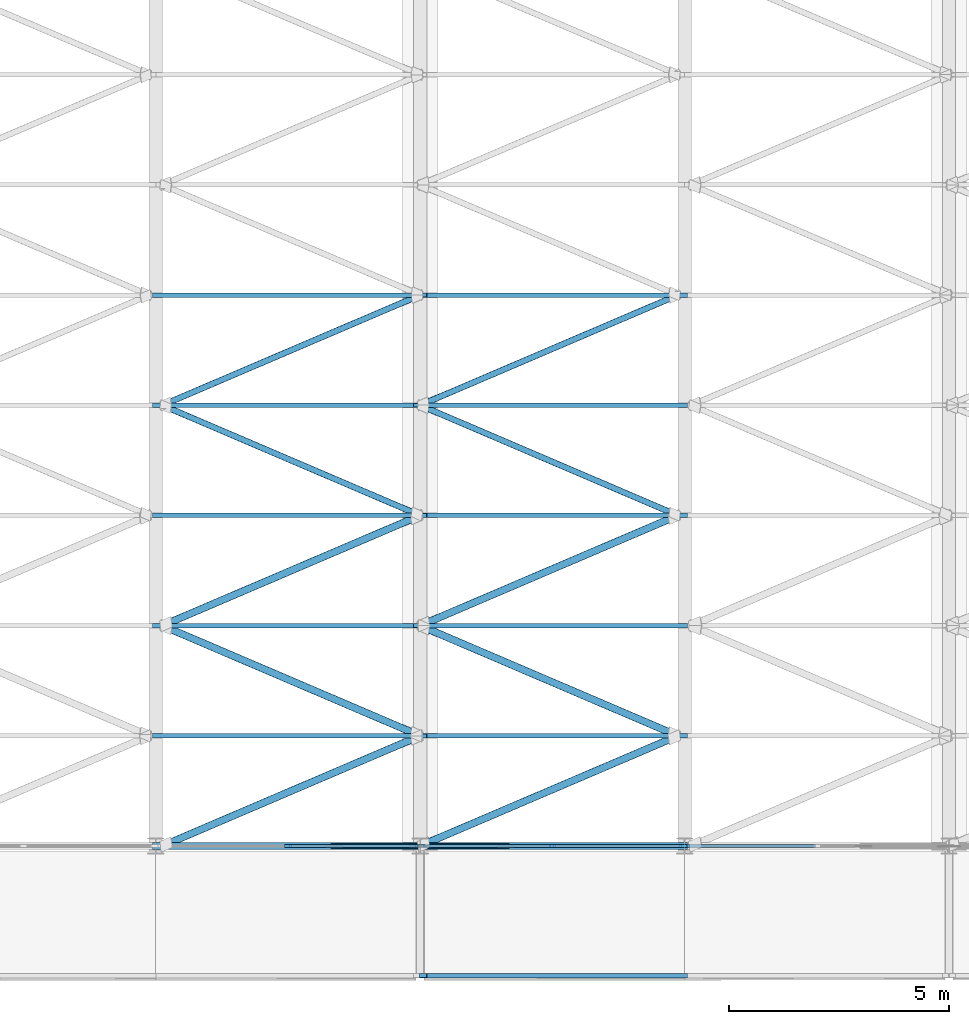
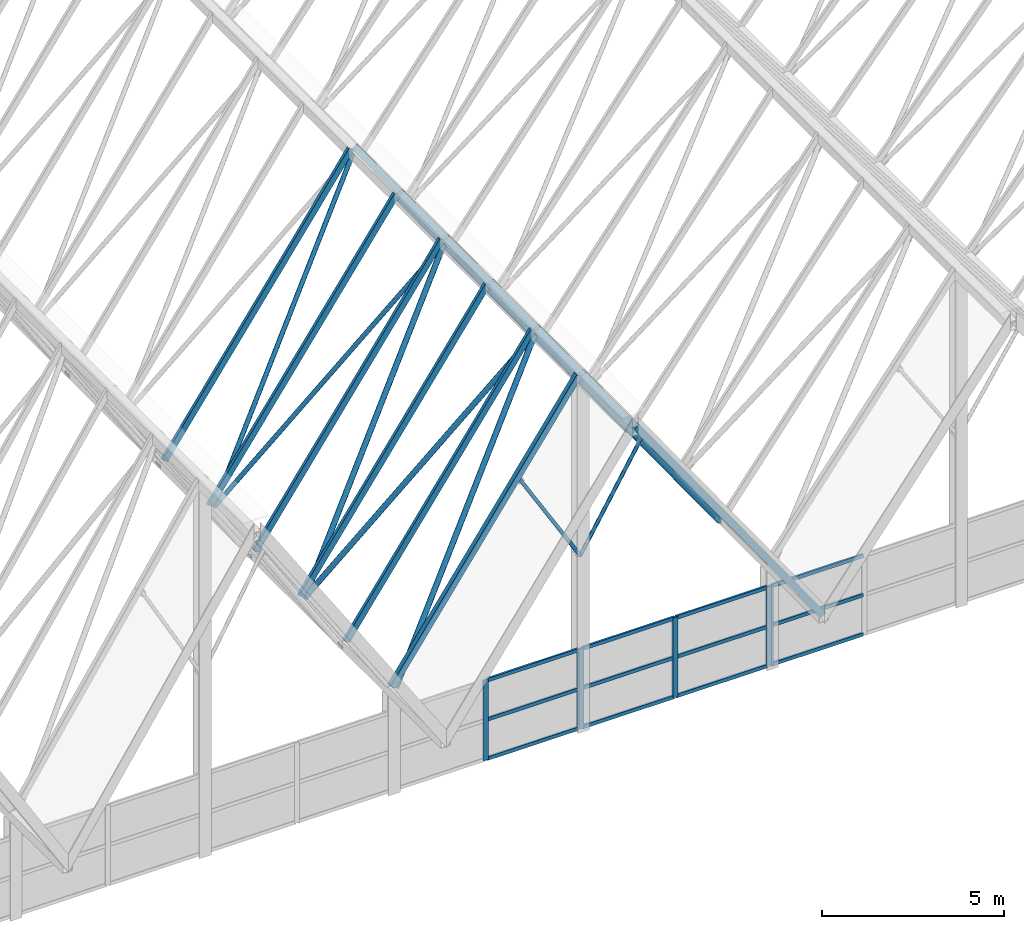
# One storey, part 17 of 483: 40 members, 3 beams, 3 elements without a shape of their own.
"""IFC4 building model written with IfcOpenShell, lengths in metres."""

from ifc_helpers import new_model, si_unit, direction, frame, origin, origin_2d, place, context, subcontext, project, spatial, rectangle, hollow_rectangle, hollow_circle, extrude, material, material_profile, profile_set, type_object, element, aggregate, save


model = new_model("IFC4")

# Units and contexts
model_context = context("Model", 3, precision=1e-05, world=origin(), true_north=direction((0.0, 1.0)))
body_context = subcontext(model_context, "Body", "Model", "MODEL_VIEW")
ifc_project = project(units=[si_unit("LENGTHUNIT", "METRE"), si_unit("AREAUNIT", "SQUARE_METRE"), si_unit("VOLUMEUNIT", "CUBIC_METRE"), si_unit("PLANEANGLEUNIT", "RADIAN"), si_unit("MASSUNIT", "GRAM", prefix="KILO")], contexts=[model_context])

# Site, building, storey
site_placement = place(None, origin())
site = spatial("IfcSite", under=ifc_project, at=site_placement, CompositionType="ELEMENT")
building_placement = place(site_placement, origin())
building = spatial("IfcBuilding", under=site, at=building_placement, Name="Parallax Yard Mobility Hub", CompositionType="ELEMENT")
storey_placement = place(building_placement, frame((0.0, 0.0, 13.199951171875)))
storey = spatial("IfcBuildingStorey", under=building, at=storey_placement, Name="L04", CompositionType="ELEMENT", Elevation=13.199951171875)

# Members
ifc_material_1 = material(Name="Steel ASTM A500 Gr C", Category="steel")
ifc_material_profile_1 = material_profile(ifc_material_1, hollow_circle(Radius=0.05712890625, WallThickness=0.006103515625, at=origin_2d()), Name="HSS114.3x6.0")
ifc_profile_set_1 = profile_set([ifc_material_profile_1], Name="Steel ASTM A500 Gr C")
member_type_1 = type_object("IfcMemberType", Name="Knee brace HSS114.3x6.0", PredefinedType="BRACE", material=ifc_profile_set_1)
for number, where, z_axis, x_axis, name in (
    (1, (63.0, 7.5, 5.800048828125), (-0.511362041341, 0.0, 0.859365383685), (0.0, -1.0, 0.0), "Gable knee brace F10 south west"),
    (2, (63.0, 7.5, 5.800048828125), (0.511362041341, 0.0, 0.859365383685), (0.0, 1.0, 0.0), "Gable knee brace F10 south east"),
):
    element("IfcMember", number, at=place(storey_placement, frame(where, z_axis=z_axis, x_axis=x_axis)), inside=storey, type_object=member_type_1, Name=name, PredefinedType="BRACE", context=body_context, shape_type="SweptSolid", body=[
        extrude(hollow_circle(Radius=0.05712890625, WallThickness=0.006103515625, at=origin_2d()), origin(), (0.0, 0.0, 1.0), 3.9111328125),
    ])

# Curtain wall, members
ifc_material_2 = material(Name="Thermally broken aluminium curtain wall system", Category="aluminium")
curtain_wall_type = type_object("IfcCurtainWallType", Name="Curtain wall run 60 x 160 frame", PredefinedType="NOTDEFINED", material=ifc_material_2)
curtain_wall_1_placement = place(storey_placement, origin())
curtain_wall_1 = element("IfcCurtainWall", 3, at=curtain_wall_1_placement, inside=storey, type_object=curtain_wall_type, Name="Glazed gable end Bus and taxi deck south gable bay 9 level L04", PredefinedType="NOTDEFINED")
ifc_material_3 = material(Name="Extruded aluminium", Category="aluminium")
ifc_material_profile_2 = material_profile(ifc_material_3, rectangle(XDim=0.06005859375, YDim=0.159912109375, at=origin_2d()), Name="Mullion 60 x 160")
ifc_profile_set_2 = profile_set([ifc_material_profile_2], Name="Extruded aluminium")
member_type_2 = type_object("IfcMemberType", Name="Mullion 60 x 160", PredefinedType="MULLION", material=ifc_profile_set_2)
member_1_placement = place(storey_placement, frame((60.0, 7.5, 0.0), z_axis=(0.0, 0.0, 1.0), x_axis=(0.0, 1.0, 0.0)))
member_1 = element("IfcMember", 4, at=member_1_placement, type_object=member_type_2, Name="CW1 mullion 2", PredefinedType="MULLION", context=body_context, shape_type="SweptSolid", body=[
    extrude(rectangle(XDim=0.06005859375, YDim=0.159912109375, at=origin_2d()), origin(), (0.0, 0.0, 1.0), 2.68994140625),
])
member_2_placement = place(storey_placement, frame((62.969970703125, 7.5, 0.0), z_axis=(0.0, 0.0, 1.0), x_axis=(0.0, 1.0, 0.0)))
member_2 = element("IfcMember", 5, at=member_2_placement, type_object=member_type_2, Name="CW1 mullion 3", PredefinedType="MULLION", context=body_context, shape_type="SweptSolid", body=[
    extrude(rectangle(XDim=0.06005859375, YDim=0.159912109375, at=origin_2d()), origin(), (0.0, 0.0, 1.0), 2.68994140625),
])

curtain_wall_2_placement = place(storey_placement, origin())
curtain_wall_2 = element("IfcCurtainWall", 6, at=curtain_wall_2_placement, inside=storey, type_object=curtain_wall_type, Name="Glazed gable end Bus and taxi deck south gable bay 10 level L04", PredefinedType="NOTDEFINED")
member_3_placement = place(storey_placement, frame((63.030029296875, 7.5, 0.0), z_axis=(0.0, 0.0, 1.0), x_axis=(0.0, 1.0, 0.0)))
member_3 = element("IfcMember", 7, at=member_3_placement, type_object=member_type_2, Name="CW1 mullion 1", PredefinedType="MULLION", context=body_context, shape_type="SweptSolid", body=[
    extrude(rectangle(XDim=0.06005859375, YDim=0.159912109375, at=origin_2d()), origin(), (0.0, 0.0, 1.0), 2.68994140625),
])
member_4_placement = place(storey_placement, frame((66.0, 7.5, 0.0), z_axis=(0.0, 0.0, 1.0), x_axis=(0.0, 1.0, 0.0)))
member_4 = element("IfcMember", 8, at=member_4_placement, type_object=member_type_2, Name="CW1 mullion 2", PredefinedType="MULLION", context=body_context, shape_type="SweptSolid", body=[
    extrude(rectangle(XDim=0.06005859375, YDim=0.159912109375, at=origin_2d()), origin(), (0.0, 0.0, 1.0), 2.68994140625),
])
member_5_placement = place(storey_placement, frame((68.969970703125, 7.5, 0.0), z_axis=(0.0, 0.0, 1.0), x_axis=(0.0, 1.0, 0.0)))
member_5 = element("IfcMember", 9, at=member_5_placement, type_object=member_type_2, Name="CW1 mullion 3", PredefinedType="MULLION", context=body_context, shape_type="SweptSolid", body=[
    extrude(rectangle(XDim=0.06005859375, YDim=0.159912109375, at=origin_2d()), origin(), (0.0, 0.0, 1.0), 2.68994140625),
])

# Curtain wall, member
curtain_wall_3_placement = place(storey_placement, origin())
curtain_wall_3 = element("IfcCurtainWall", 10, at=curtain_wall_3_placement, inside=storey, type_object=curtain_wall_type, Name="Glazed gable end Bus and taxi deck south gable bay 11 level L04", PredefinedType="NOTDEFINED")
member_6_placement = place(storey_placement, frame((69.030029296875, 7.5, 0.0), z_axis=(0.0, 0.0, 1.0), x_axis=(0.0, 1.0, 0.0)))
member_6 = element("IfcMember", 11, at=member_6_placement, type_object=member_type_2, Name="CW1 mullion 1", PredefinedType="MULLION", context=body_context, shape_type="SweptSolid", body=[
    extrude(rectangle(XDim=0.06005859375, YDim=0.159912109375, at=origin_2d()), origin(), (0.0, 0.0, 1.0), 2.68994140625),
])

# Members
ifc_material_profile_3 = material_profile(ifc_material_1, hollow_circle(Radius=0.06982421875, WallThickness=0.00634765625, at=origin_2d()), Name="HSS139.7x6.4")
ifc_profile_set_3 = profile_set([ifc_material_profile_3], Name="Steel ASTM A500 Gr C")
member_type_3 = type_object("IfcMemberType", Name="Plate diagonal HSS139.7x6.4", PredefinedType="BRACE", material=ifc_profile_set_3)
for number, where, z_axis, x_axis, name in (
    (12, (68.84765625, 15.0, 3.4111328125), (-0.55979258078, 0.239323481429, 0.793319946643), (-0.393103707527, -0.919494140888, 0.0), "Plate diagonal plate F10-F11 bay 4"),
    (13, (63.0, 15.0, 11.6982421875), (-0.55979258078, 0.239323481429, -0.793319946643), (-0.393103707527, -0.919494140888, 0.0), "Plate diagonal plate F9-F10 bay 4"),
    (14, (63.0, 17.5, 11.6982421875), (0.55979258078, 0.239323481429, -0.793319946643), (-0.393103707527, 0.919494140888, 0.0), "Plate diagonal plate F10-F11 bay 5"),
    (15, (57.15234375, 17.5, 3.4111328125), (0.55979258078, 0.239323481429, 0.793319946643), (-0.393103707527, 0.919494140888, 0.0), "Plate diagonal plate F9-F10 bay 5"),
):
    element("IfcMember", number, at=place(storey_placement, frame(where, z_axis=z_axis, x_axis=x_axis)), inside=storey, type_object=member_type_3, Name=name, PredefinedType="BRACE", context=body_context, shape_type="SweptSolid", body=[
        extrude(hollow_circle(Radius=0.06982421875, WallThickness=0.00634765625, at=origin_2d()), origin(), (0.0, 0.0, 1.0), 10.446044921875),
    ])
ifc_material_profile_4 = material_profile(ifc_material_1, hollow_circle(Radius=0.084228515625, WallThickness=0.007080078125, at=origin_2d()), Name="HSS168.3x7.1")
ifc_profile_set_4 = profile_set([ifc_material_profile_4], Name="Steel ASTM A500 Gr C")
member_type_4 = type_object("IfcMemberType", Name="Plate diagonal HSS168.3x7.1", PredefinedType="BRACE", material=ifc_profile_set_4)
for number, where, z_axis, x_axis, name in (
    (16, (63.0, 7.5, 11.6982421875), (0.55979258078, 0.239323481429, -0.793319946643), (-0.393103707527, 0.919494140888, 0.0), "Plate diagonal plate F10-F11 bay 1"),
    (17, (57.15234375, 7.5, 3.4111328125), (0.55979258078, 0.239323481429, 0.793319946643), (-0.393103707527, 0.919494140888, 0.0), "Plate diagonal plate F9-F10 bay 1"),
    (18, (68.84765625, 10.0, 3.4111328125), (-0.55979258078, 0.239323481429, 0.793319946643), (-0.393103707527, -0.919494140888, 0.0), "Plate diagonal plate F10-F11 bay 2"),
    (19, (63.0, 10.0, 11.6982421875), (-0.55979258078, 0.239323481429, -0.793319946643), (-0.393103707527, -0.919494140888, 0.0), "Plate diagonal plate F9-F10 bay 2"),
    (20, (63.0, 12.5, 11.6982421875), (0.55979258078, 0.239323481429, -0.793319946643), (-0.393103707527, 0.919494140888, 0.0), "Plate diagonal plate F10-F11 bay 3"),
    (21, (57.15234375, 12.5, 3.4111328125), (0.55979258078, 0.239323481429, 0.793319946643), (-0.393103707527, 0.919494140888, 0.0), "Plate diagonal plate F9-F10 bay 3"),
):
    element("IfcMember", number, at=place(storey_placement, frame(where, z_axis=z_axis, x_axis=x_axis)), inside=storey, type_object=member_type_4, Name=name, PredefinedType="BRACE", context=body_context, shape_type="SweptSolid", body=[
        extrude(hollow_circle(Radius=0.084228515625, WallThickness=0.007080078125, at=origin_2d()), origin(), (0.0, 0.0, 1.0), 10.446044921875),
    ])

# Beams
ifc_material_profile_5 = material_profile(ifc_material_1, hollow_rectangle(XDim=0.1015625, YDim=0.203125, WallThickness=0.00634765625, at=origin_2d()), Name="HSS203x102x6.4")
ifc_profile_set_5 = profile_set([ifc_material_profile_5], Name="Steel ASTM A500 Gr C")
beam_type_1 = type_object("IfcBeamType", Name="Roof edge beam HSS203x102x6.4", PredefinedType="SPANDREL", material=ifc_profile_set_5)
beam_placement = place(storey_placement, frame((63.0693359375, 4.56005859375, 11.8974609375), z_axis=(0.576532840319, 0.0, -0.817073977088), x_axis=(0.0, 1.0, 0.0)))
element("IfcBeam", 22, at=beam_placement, inside=storey, type_object=beam_type_1, Name="Edge beam plate F10-F11 south eave", PredefinedType="SPANDREL", context=body_context, shape_type="SweptSolid", body=[
    extrude(hollow_rectangle(XDim=0.1015625, YDim=0.203125, WallThickness=0.00634765625, at=origin_2d()), origin(), (0.0, 0.0, 1.0), 10.264404296875),
])
ifc_material_profile_6 = material_profile(ifc_material_1, hollow_rectangle(XDim=0.15234375, YDim=0.203125, WallThickness=0.009521484375, at=origin_2d()), Name="HSS203x152x9.5")
ifc_profile_set_6 = profile_set([ifc_material_profile_6], Name="Steel ASTM A500 Gr C")
beam_type_2 = type_object("IfcBeamType", Name="Roof edge beam HSS203x152x9.5", PredefinedType="SPANDREL", material=ifc_profile_set_6)
for number, where, z_axis, x_axis, name in (
    (23, (63.0693359375, 7.5, 11.8974609375), (0.576532840319, 0.0, -0.817073977088), (0.0, 1.0, 0.0), "Edge beam plate F10-F11 south gable"),
    (24, (57.012939453125, 7.5, 3.5107421875), (0.576532840319, 0.0, 0.817073977088), (0.0, 1.0, 0.0), "Edge beam plate F9-F10 south gable"),
):
    element("IfcBeam", number, at=place(storey_placement, frame(where, z_axis=z_axis, x_axis=x_axis)), inside=storey, type_object=beam_type_2, Name=name, PredefinedType="SPANDREL", context=body_context, shape_type="SweptSolid", body=[
        extrude(hollow_rectangle(XDim=0.15234375, YDim=0.203125, WallThickness=0.009521484375, at=origin_2d()), origin(), (0.0, 0.0, 1.0), 10.264404296875),
    ])

# Members
ifc_material_profile_7 = material_profile(ifc_material_1, hollow_rectangle(XDim=0.1015625, YDim=0.203125, WallThickness=0.00634765625, at=origin_2d()), Name="HSS203x102x6.4")
ifc_profile_set_7 = profile_set([ifc_material_profile_7], Name="Steel ASTM A500 Gr C")
member_type_5 = type_object("IfcMemberType", Name="Roof rafter HSS203x102x6.4", PredefinedType="RAFTER", material=ifc_profile_set_7)
for number, where, z_axis, x_axis, name in (
    (25, (57.012939453125, 10.0, 3.5107421875), (0.576532840319, 0.0, 0.817073977088), (0.0, 1.0, 0.0), "Roof rafter plate F9-F10 at y 10"),
    (26, (63.0693359375, 10.0, 11.8974609375), (0.576532840319, 0.0, -0.817073977088), (0.0, 1.0, 0.0), "Roof rafter plate F10-F11 at y 10"),
    (27, (57.012939453125, 12.5, 3.5107421875), (0.576532840319, 0.0, 0.817073977088), (0.0, 1.0, 0.0), "Roof rafter plate F9-F10 at y 12.5"),
    (28, (63.0693359375, 12.5, 11.8974609375), (0.576532840319, 0.0, -0.817073977088), (0.0, 1.0, 0.0), "Roof rafter plate F10-F11 at y 12.5"),
    (29, (57.012939453125, 15.0, 3.5107421875), (0.576532840319, 0.0, 0.817073977088), (0.0, 1.0, 0.0), "Roof rafter plate F9-F10 at y 15"),
    (30, (63.0693359375, 15.0, 11.8974609375), (0.576532840319, 0.0, -0.817073977088), (0.0, 1.0, 0.0), "Roof rafter plate F10-F11 at y 15"),
    (31, (57.012939453125, 17.5, 3.5107421875), (0.576532840319, 0.0, 0.817073977088), (0.0, 1.0, 0.0), "Roof rafter plate F9-F10 at y 17.5"),
    (32, (63.0693359375, 17.5, 11.8974609375), (0.576532840319, 0.0, -0.817073977088), (0.0, 1.0, 0.0), "Roof rafter plate F10-F11 at y 17.5"),
    (33, (57.012939453125, 20.0, 3.5107421875), (0.576532840319, 0.0, 0.817073977088), (0.0, 1.0, 0.0), "Roof rafter plate F9-F10 at y 20"),
    (34, (63.0693359375, 20.0, 11.8974609375), (0.576532840319, 0.0, -0.817073977088), (0.0, 1.0, 0.0), "Roof rafter plate F10-F11 at y 20"),
):
    element("IfcMember", number, at=place(storey_placement, frame(where, z_axis=z_axis, x_axis=x_axis)), inside=storey, type_object=member_type_5, Name=name, PredefinedType="RAFTER", context=body_context, shape_type="SweptSolid", body=[
        extrude(hollow_rectangle(XDim=0.1015625, YDim=0.203125, WallThickness=0.00634765625, at=origin_2d()), origin(), (0.0, 0.0, 1.0), 10.264404296875),
    ])

# Member
ifc_material_profile_8 = material_profile(ifc_material_3, rectangle(XDim=0.06005859375, YDim=0.1201171875, at=origin_2d()), Name="Transom 60 x 120")
ifc_profile_set_8 = profile_set([ifc_material_profile_8], Name="Extruded aluminium")
member_type_6 = type_object("IfcMemberType", Name="Transom 60 x 120", PredefinedType="USERDEFINED", material=ifc_profile_set_8)
member_7_placement = place(storey_placement, frame((60.030029296875, 7.5, 0.030029296875), z_axis=(1.0, 0.0, 0.0), x_axis=(0.0, 1.0, 0.0)))
member_7 = element("IfcMember", 35, at=member_7_placement, type_object=member_type_6, Name="CW1 transom 2.1", ObjectType="TRANSOM", PredefinedType="USERDEFINED", context=body_context, shape_type="SweptSolid", body=[
    extrude(rectangle(XDim=0.06005859375, YDim=0.1201171875, at=origin_2d()), origin(), (0.0, 0.0, 1.0), 2.909912109375),
])

member_8_placement = place(storey_placement, frame((60.030029296875, 7.5, 1.344970703125), z_axis=(1.0, 0.0, 0.0), x_axis=(0.0, 1.0, 0.0)))
member_8 = element("IfcMember", 36, at=member_8_placement, type_object=member_type_6, Name="CW1 transom 2.2", ObjectType="TRANSOM", PredefinedType="USERDEFINED", context=body_context, shape_type="SweptSolid", body=[
    extrude(rectangle(XDim=0.06005859375, YDim=0.1201171875, at=origin_2d()), origin(), (0.0, 0.0, 1.0), 2.909912109375),
])

member_9_placement = place(storey_placement, frame((60.030029296875, 7.5, 2.66015625), z_axis=(1.0, 0.0, 0.0), x_axis=(0.0, 1.0, 0.0)))
member_9 = element("IfcMember", 37, at=member_9_placement, type_object=member_type_6, Name="CW1 transom 2.3", ObjectType="TRANSOM", PredefinedType="USERDEFINED", context=body_context, shape_type="SweptSolid", body=[
    extrude(rectangle(XDim=0.06005859375, YDim=0.1201171875, at=origin_2d()), origin(), (0.0, 0.0, 1.0), 2.909912109375),
])

aggregate(curtain_wall_1, [member_1, member_2, member_7, member_8, member_9])

member_10_placement = place(storey_placement, frame((63.06005859375, 7.5, 0.030029296875), z_axis=(1.0, 0.0, 0.0), x_axis=(0.0, 1.0, 0.0)))
member_10 = element("IfcMember", 38, at=member_10_placement, type_object=member_type_6, Name="CW1 transom 1.1", ObjectType="TRANSOM", PredefinedType="USERDEFINED", context=body_context, shape_type="SweptSolid", body=[
    extrude(rectangle(XDim=0.06005859375, YDim=0.1201171875, at=origin_2d()), origin(), (0.0, 0.0, 1.0), 2.909912109375),
])

member_11_placement = place(storey_placement, frame((63.06005859375, 7.5, 1.344970703125), z_axis=(1.0, 0.0, 0.0), x_axis=(0.0, 1.0, 0.0)))
member_11 = element("IfcMember", 39, at=member_11_placement, type_object=member_type_6, Name="CW1 transom 1.2", ObjectType="TRANSOM", PredefinedType="USERDEFINED", context=body_context, shape_type="SweptSolid", body=[
    extrude(rectangle(XDim=0.06005859375, YDim=0.1201171875, at=origin_2d()), origin(), (0.0, 0.0, 1.0), 2.909912109375),
])

member_12_placement = place(storey_placement, frame((63.06005859375, 7.5, 2.66015625), z_axis=(1.0, 0.0, 0.0), x_axis=(0.0, 1.0, 0.0)))
member_12 = element("IfcMember", 40, at=member_12_placement, type_object=member_type_6, Name="CW1 transom 1.3", ObjectType="TRANSOM", PredefinedType="USERDEFINED", context=body_context, shape_type="SweptSolid", body=[
    extrude(rectangle(XDim=0.06005859375, YDim=0.1201171875, at=origin_2d()), origin(), (0.0, 0.0, 1.0), 2.909912109375),
])

member_13_placement = place(storey_placement, frame((66.030029296875, 7.5, 0.030029296875), z_axis=(1.0, 0.0, 0.0), x_axis=(0.0, 1.0, 0.0)))
member_13 = element("IfcMember", 41, at=member_13_placement, type_object=member_type_6, Name="CW1 transom 2.1", ObjectType="TRANSOM", PredefinedType="USERDEFINED", context=body_context, shape_type="SweptSolid", body=[
    extrude(rectangle(XDim=0.06005859375, YDim=0.1201171875, at=origin_2d()), origin(), (0.0, 0.0, 1.0), 2.909912109375),
])

member_14_placement = place(storey_placement, frame((66.030029296875, 7.5, 1.344970703125), z_axis=(1.0, 0.0, 0.0), x_axis=(0.0, 1.0, 0.0)))
member_14 = element("IfcMember", 42, at=member_14_placement, type_object=member_type_6, Name="CW1 transom 2.2", ObjectType="TRANSOM", PredefinedType="USERDEFINED", context=body_context, shape_type="SweptSolid", body=[
    extrude(rectangle(XDim=0.06005859375, YDim=0.1201171875, at=origin_2d()), origin(), (0.0, 0.0, 1.0), 2.909912109375),
])

member_15_placement = place(storey_placement, frame((66.030029296875, 7.5, 2.66015625), z_axis=(1.0, 0.0, 0.0), x_axis=(0.0, 1.0, 0.0)))
member_15 = element("IfcMember", 43, at=member_15_placement, type_object=member_type_6, Name="CW1 transom 2.3", ObjectType="TRANSOM", PredefinedType="USERDEFINED", context=body_context, shape_type="SweptSolid", body=[
    extrude(rectangle(XDim=0.06005859375, YDim=0.1201171875, at=origin_2d()), origin(), (0.0, 0.0, 1.0), 2.909912109375),
])

aggregate(curtain_wall_2, [member_3, member_4, member_5, member_10, member_11, member_12, member_13, member_14, member_15])

member_16_placement = place(storey_placement, frame((69.06005859375, 7.5, 0.030029296875), z_axis=(1.0, 0.0, 0.0), x_axis=(0.0, 1.0, 0.0)))
member_16 = element("IfcMember", 44, at=member_16_placement, type_object=member_type_6, Name="CW1 transom 1.1", ObjectType="TRANSOM", PredefinedType="USERDEFINED", context=body_context, shape_type="SweptSolid", body=[
    extrude(rectangle(XDim=0.06005859375, YDim=0.1201171875, at=origin_2d()), origin(), (0.0, 0.0, 1.0), 2.909912109375),
])

member_17_placement = place(storey_placement, frame((69.06005859375, 7.5, 1.344970703125), z_axis=(1.0, 0.0, 0.0), x_axis=(0.0, 1.0, 0.0)))
member_17 = element("IfcMember", 45, at=member_17_placement, type_object=member_type_6, Name="CW1 transom 1.2", ObjectType="TRANSOM", PredefinedType="USERDEFINED", context=body_context, shape_type="SweptSolid", body=[
    extrude(rectangle(XDim=0.06005859375, YDim=0.1201171875, at=origin_2d()), origin(), (0.0, 0.0, 1.0), 2.909912109375),
])

member_18_placement = place(storey_placement, frame((69.06005859375, 7.5, 2.66015625), z_axis=(1.0, 0.0, 0.0), x_axis=(0.0, 1.0, 0.0)))
member_18 = element("IfcMember", 46, at=member_18_placement, type_object=member_type_6, Name="CW1 transom 1.3", ObjectType="TRANSOM", PredefinedType="USERDEFINED", context=body_context, shape_type="SweptSolid", body=[
    extrude(rectangle(XDim=0.06005859375, YDim=0.1201171875, at=origin_2d()), origin(), (0.0, 0.0, 1.0), 2.909912109375),
])

aggregate(curtain_wall_3, [member_6, member_16, member_17, member_18])

save(model, "model.ifc")
